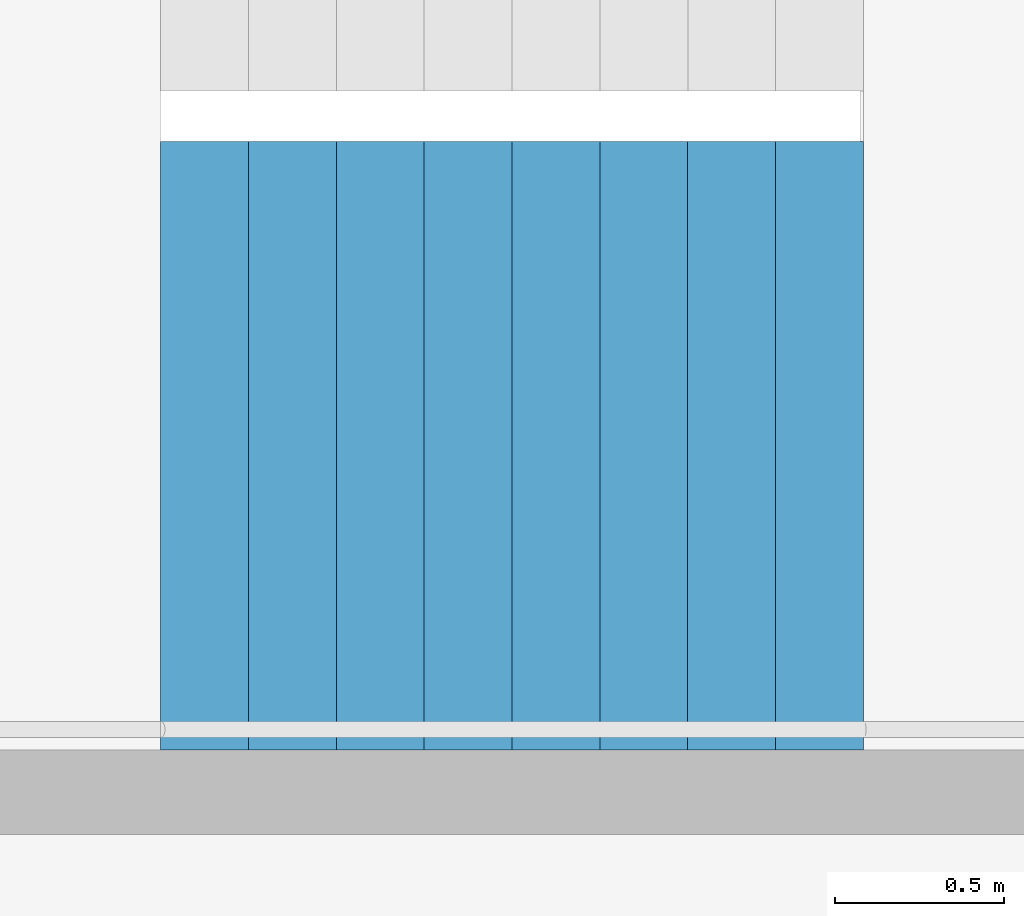
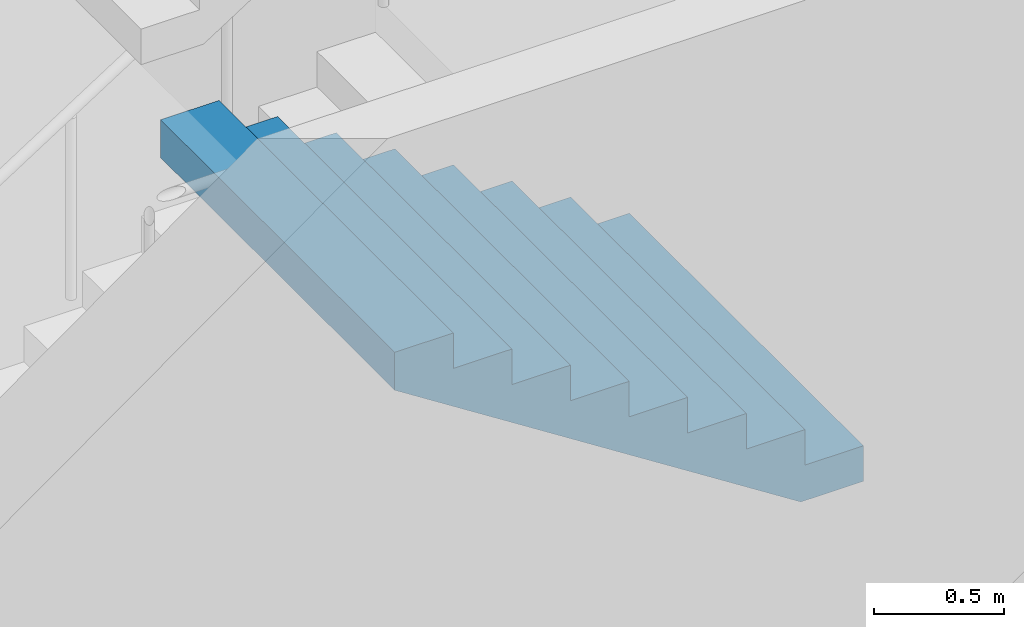
# One storey, part 31 of 35: 1 stair flight, 1 element without a shape of its own.
"""IFC4 building model written with IfcOpenShell, lengths in metres."""

from ifc_helpers import new_model, si_unit, direction, frame, origin, place, context, subcontext, project, spatial, triangles, material, type_object, element, aggregate, save


model = new_model("IFC4")

# Units and contexts
model_context = context("Model", 3, precision=1e-05, world=origin(), true_north=direction((0.0, 1.0)))
body_context = subcontext(model_context, "Body", "Model", "MODEL_VIEW")
ifc_project = project(units=[si_unit("LENGTHUNIT", "METRE"), si_unit("AREAUNIT", "SQUARE_METRE"), si_unit("VOLUMEUNIT", "CUBIC_METRE"), si_unit("PLANEANGLEUNIT", "RADIAN"), si_unit("MASSUNIT", "GRAM", prefix="KILO")], contexts=[model_context])

# Site, building, storey
site_placement = place(None, origin())
site = spatial("IfcSite", under=ifc_project, at=site_placement, CompositionType="ELEMENT")
building_placement = place(site_placement, origin())
building = spatial("IfcBuilding", under=site, at=building_placement, Name="Hakoniwa Tower and Hamabe Station Hall", CompositionType="ELEMENT")
storey_placement = place(building_placement, frame((0.0, 0.0, 264.60009765625)))
storey = spatial("IfcBuildingStorey", under=building, at=storey_placement, Name="L75", CompositionType="ELEMENT", Elevation=264.60009765625)

# Stair, stair flight
ifc_material_1 = material(Name="Concrete C40", Category="concrete")
stair_type = type_object("IfcStairType", Name="ESCAPE STAIR 1800", PredefinedType="HALF_TURN_STAIR", material=ifc_material_1)
stair_placement = place(storey_placement, origin())
stair = element("IfcStair", 1, at=stair_placement, inside=storey, type_object=stair_type, Name="Escape stair ST-3 L75", PredefinedType="HALF_TURN_STAIR")
ifc_material_2 = material(Name="Concrete C40", Category="concrete")
stair_flight_type = type_object("IfcStairFlightType", Name="STAIR FLIGHT 1800", PredefinedType="STRAIGHT", material=ifc_material_2)
stair_flight_placement = place(storey_placement, frame((24.39990234375, 4.64990234375, 3.0), z_axis=(0.0, 0.0, 1.0), x_axis=(-1.0, 0.0, 0.0)))
stair_flight = element("IfcStairFlight", 2, at=stair_flight_placement, type_object=stair_flight_type, Name="ST-3 flight 3", NumberOfRisers=9, NumberOfTreads=8, PredefinedType="STRAIGHT", RiserHeight=0.166666667, TreadLength=0.26, context=body_context, shape_type="Tessellation", body=[
    triangles([(0.0, 0.89990234375, 0.0), (0.260009765625, 0.89990234375, 0.0), (0.27783203125, 0.89990234375, 0.0), (0.52001953125, 0.89990234375, 0.1552734375), (0.780029296875, 0.89990234375, 0.322021484375), (1.0400390625, 0.89990234375, 0.488525390625), (1.300048828125, 0.89990234375, 0.6552734375), (1.56005859375, 0.89990234375, 0.822021484375), (1.820068359375, 0.89990234375, 0.988525390625), (2.080078125, 0.89990234375, 1.1552734375), (2.080078125, 0.89990234375, 1.333251953125), (1.820068359375, 0.89990234375, 1.333251953125), (1.820068359375, 0.89990234375, 1.166748046875), (1.56005859375, 0.89990234375, 1.166748046875), (1.56005859375, 0.89990234375, 1.0), (1.300048828125, 0.89990234375, 1.0), (1.300048828125, 0.89990234375, 0.833251953125), (1.0400390625, 0.89990234375, 0.833251953125), (1.0400390625, 0.89990234375, 0.666748046875), (0.780029296875, 0.89990234375, 0.666748046875), (0.780029296875, 0.89990234375, 0.5), (0.52001953125, 0.89990234375, 0.5), (0.52001953125, 0.89990234375, 0.333251953125), (0.27783203125, 0.89990234375, 0.333251953125), (0.260009765625, 0.89990234375, 0.333251953125), (0.260009765625, 0.89990234375, 0.166748046875), (0.0, 0.89990234375, 0.166748046875), (0.0, 0.06005859375, 0.0), (0.260009765625, 0.06005859375, 0.0), (0.27783203125, 0.06005859375, 0.0), (0.52001953125, 0.06005859375, 0.1552734375), (0.780029296875, 0.06005859375, 0.322021484375), (1.0400390625, 0.06005859375, 0.488525390625), (1.300048828125, 0.06005859375, 0.6552734375), (1.56005859375, 0.06005859375, 0.822021484375), (1.820068359375, 0.06005859375, 0.988525390625), (2.080078125, 0.06005859375, 1.1552734375), (2.080078125, 0.06005859375, 1.333251953125), (1.820068359375, 0.06005859375, 1.333251953125), (1.820068359375, 0.06005859375, 1.166748046875), (1.56005859375, 0.06005859375, 1.166748046875), (1.56005859375, 0.06005859375, 1.0), (1.300048828125, 0.06005859375, 1.0), (1.300048828125, 0.06005859375, 0.833251953125), (1.0400390625, 0.06005859375, 0.833251953125), (1.0400390625, 0.06005859375, 0.666748046875), (0.780029296875, 0.06005859375, 0.666748046875), (0.780029296875, 0.06005859375, 0.5), (0.52001953125, 0.06005859375, 0.5), (0.52001953125, 0.06005859375, 0.333251953125), (0.27783203125, 0.06005859375, 0.333251953125), (0.260009765625, 0.06005859375, 0.333251953125), (0.260009765625, 0.06005859375, 0.166748046875), (0.0, 0.06005859375, 0.166748046875), (0.0, 0.04296875, 0.0), (0.260009765625, 0.04296875, 0.0), (0.27783203125, 0.04296875, 0.0), (0.52001953125, 0.04296875, 0.1552734375), (0.780029296875, 0.04296875, 0.322021484375), (1.0400390625, 0.04296875, 0.488525390625), (1.300048828125, 0.04296875, 0.6552734375), (1.56005859375, 0.04296875, 0.822021484375), (1.820068359375, 0.04296875, 0.988525390625), (2.080078125, 0.04296875, 1.1552734375), (2.080078125, 0.04296875, 1.333251953125), (1.820068359375, 0.04296875, 1.333251953125), (1.820068359375, 0.04296875, 1.166748046875), (1.56005859375, 0.04296875, 1.166748046875), (1.56005859375, 0.04296875, 1.0), (1.300048828125, 0.04296875, 1.0), (1.300048828125, 0.04296875, 0.833251953125), (1.0400390625, 0.04296875, 0.833251953125), (1.0400390625, 0.04296875, 0.666748046875), (0.780029296875, 0.04296875, 0.666748046875), (0.780029296875, 0.04296875, 0.5), (0.52001953125, 0.04296875, 0.5), (0.52001953125, 0.04296875, 0.333251953125), (0.27783203125, 0.04296875, 0.333251953125), (0.260009765625, 0.04296875, 0.333251953125), (0.260009765625, 0.04296875, 0.166748046875), (0.0, 0.04296875, 0.166748046875), (0.0, 0.025634765625, 0.0), (0.260009765625, 0.025634765625, 0.0), (0.27783203125, 0.025634765625, 0.0), (0.52001953125, 0.025634765625, 0.1552734375), (0.780029296875, 0.025634765625, 0.322021484375), (1.0400390625, 0.025634765625, 0.488525390625), (1.300048828125, 0.025634765625, 0.6552734375), (1.56005859375, 0.025634765625, 0.822021484375), (1.820068359375, 0.025634765625, 0.988525390625), (2.080078125, 0.025634765625, 1.1552734375), (2.080078125, 0.025634765625, 1.333251953125), (1.820068359375, 0.025634765625, 1.333251953125), (1.820068359375, 0.025634765625, 1.166748046875), (1.56005859375, 0.025634765625, 1.166748046875), (1.56005859375, 0.025634765625, 1.0), (1.300048828125, 0.025634765625, 1.0), (1.300048828125, 0.025634765625, 0.833251953125), (1.0400390625, 0.025634765625, 0.833251953125), (1.0400390625, 0.025634765625, 0.666748046875), (0.780029296875, 0.025634765625, 0.666748046875), (0.780029296875, 0.025634765625, 0.5), (0.52001953125, 0.025634765625, 0.5), (0.52001953125, 0.025634765625, 0.333251953125), (0.27783203125, 0.025634765625, 0.333251953125), (0.260009765625, 0.025634765625, 0.333251953125), (0.260009765625, 0.025634765625, 0.166748046875), (0.0, 0.025634765625, 0.166748046875), (0.0, 0.008544921875, 0.0), (0.260009765625, 0.008544921875, 0.0), (0.27783203125, 0.008544921875, 0.0), (0.52001953125, 0.008544921875, 0.1552734375), (0.780029296875, 0.008544921875, 0.322021484375), (1.0400390625, 0.008544921875, 0.488525390625), (1.300048828125, 0.008544921875, 0.6552734375), (1.56005859375, 0.008544921875, 0.822021484375), (1.820068359375, 0.008544921875, 0.988525390625), (2.080078125, 0.008544921875, 1.1552734375), (2.080078125, 0.008544921875, 1.333251953125), (1.820068359375, 0.008544921875, 1.333251953125), (1.820068359375, 0.008544921875, 1.166748046875), (1.56005859375, 0.008544921875, 1.166748046875), (1.56005859375, 0.008544921875, 1.0), (1.300048828125, 0.008544921875, 1.0), (1.300048828125, 0.008544921875, 0.833251953125), (1.0400390625, 0.008544921875, 0.833251953125), (1.0400390625, 0.008544921875, 0.666748046875), (0.780029296875, 0.008544921875, 0.666748046875), (0.780029296875, 0.008544921875, 0.5), (0.52001953125, 0.008544921875, 0.5), (0.52001953125, 0.008544921875, 0.333251953125), (0.27783203125, 0.008544921875, 0.333251953125), (0.260009765625, 0.008544921875, 0.333251953125), (0.260009765625, 0.008544921875, 0.166748046875), (0.0, 0.008544921875, 0.166748046875), (0.0, -0.008544921875, 0.0), (0.260009765625, -0.008544921875, 0.0), (0.27783203125, -0.008544921875, 0.0), (0.52001953125, -0.008544921875, 0.1552734375), (0.780029296875, -0.008544921875, 0.322021484375), (1.0400390625, -0.008544921875, 0.488525390625), (1.300048828125, -0.008544921875, 0.6552734375), (1.56005859375, -0.008544921875, 0.822021484375), (1.820068359375, -0.008544921875, 0.988525390625), (2.080078125, -0.008544921875, 1.1552734375), (2.080078125, -0.008544921875, 1.333251953125), (1.820068359375, -0.008544921875, 1.333251953125), (1.820068359375, -0.008544921875, 1.166748046875), (1.56005859375, -0.008544921875, 1.166748046875), (1.56005859375, -0.008544921875, 1.0), (1.300048828125, -0.008544921875, 1.0), (1.300048828125, -0.008544921875, 0.833251953125), (1.0400390625, -0.008544921875, 0.833251953125), (1.0400390625, -0.008544921875, 0.666748046875), (0.780029296875, -0.008544921875, 0.666748046875), (0.780029296875, -0.008544921875, 0.5), (0.52001953125, -0.008544921875, 0.5), (0.52001953125, -0.008544921875, 0.333251953125), (0.27783203125, -0.008544921875, 0.333251953125), (0.260009765625, -0.008544921875, 0.333251953125), (0.260009765625, -0.008544921875, 0.166748046875), (0.0, -0.008544921875, 0.166748046875), (0.0, -0.025634765625, 0.0), (0.260009765625, -0.025634765625, 0.0), (0.27783203125, -0.025634765625, 0.0), (0.52001953125, -0.025634765625, 0.1552734375), (0.780029296875, -0.025634765625, 0.322021484375), (1.0400390625, -0.025634765625, 0.488525390625), (1.300048828125, -0.025634765625, 0.6552734375), (1.56005859375, -0.025634765625, 0.822021484375), (1.820068359375, -0.025634765625, 0.988525390625), (2.080078125, -0.025634765625, 1.1552734375), (2.080078125, -0.025634765625, 1.333251953125), (1.820068359375, -0.025634765625, 1.333251953125), (1.820068359375, -0.025634765625, 1.166748046875), (1.56005859375, -0.025634765625, 1.166748046875), (1.56005859375, -0.025634765625, 1.0), (1.300048828125, -0.025634765625, 1.0), (1.300048828125, -0.025634765625, 0.833251953125), (1.0400390625, -0.025634765625, 0.833251953125), (1.0400390625, -0.025634765625, 0.666748046875), (0.780029296875, -0.025634765625, 0.666748046875), (0.780029296875, -0.025634765625, 0.5), (0.52001953125, -0.025634765625, 0.5), (0.52001953125, -0.025634765625, 0.333251953125), (0.27783203125, -0.025634765625, 0.333251953125), (0.260009765625, -0.025634765625, 0.333251953125), (0.260009765625, -0.025634765625, 0.166748046875), (0.0, -0.025634765625, 0.166748046875), (0.0, -0.04296875, 0.0), (0.260009765625, -0.04296875, 0.0), (0.27783203125, -0.04296875, 0.0), (0.52001953125, -0.04296875, 0.1552734375), (0.780029296875, -0.04296875, 0.322021484375), (1.0400390625, -0.04296875, 0.488525390625), (1.300048828125, -0.04296875, 0.6552734375), (1.56005859375, -0.04296875, 0.822021484375), (1.820068359375, -0.04296875, 0.988525390625), (2.080078125, -0.04296875, 1.1552734375), (2.080078125, -0.04296875, 1.333251953125), (1.820068359375, -0.04296875, 1.333251953125), (1.820068359375, -0.04296875, 1.166748046875), (1.56005859375, -0.04296875, 1.166748046875), (1.56005859375, -0.04296875, 1.0), (1.300048828125, -0.04296875, 1.0), (1.300048828125, -0.04296875, 0.833251953125), (1.0400390625, -0.04296875, 0.833251953125), (1.0400390625, -0.04296875, 0.666748046875), (0.780029296875, -0.04296875, 0.666748046875), (0.780029296875, -0.04296875, 0.5), (0.52001953125, -0.04296875, 0.5), (0.52001953125, -0.04296875, 0.333251953125), (0.27783203125, -0.04296875, 0.333251953125), (0.260009765625, -0.04296875, 0.333251953125), (0.260009765625, -0.04296875, 0.166748046875), (0.0, -0.04296875, 0.166748046875), (0.0, -0.06005859375, 0.0), (0.260009765625, -0.06005859375, 0.0), (0.27783203125, -0.06005859375, 0.0), (0.52001953125, -0.06005859375, 0.1552734375), (0.780029296875, -0.06005859375, 0.322021484375), (1.0400390625, -0.06005859375, 0.488525390625), (1.300048828125, -0.06005859375, 0.6552734375), (1.56005859375, -0.06005859375, 0.822021484375), (1.820068359375, -0.06005859375, 0.988525390625), (2.080078125, -0.06005859375, 1.1552734375), (2.080078125, -0.06005859375, 1.333251953125), (1.820068359375, -0.06005859375, 1.333251953125), (1.820068359375, -0.06005859375, 1.166748046875), (1.56005859375, -0.06005859375, 1.166748046875), (1.56005859375, -0.06005859375, 1.0), (1.300048828125, -0.06005859375, 1.0), (1.300048828125, -0.06005859375, 0.833251953125), (1.0400390625, -0.06005859375, 0.833251953125), (1.0400390625, -0.06005859375, 0.666748046875), (0.780029296875, -0.06005859375, 0.666748046875), (0.780029296875, -0.06005859375, 0.5), (0.52001953125, -0.06005859375, 0.5), (0.52001953125, -0.06005859375, 0.333251953125), (0.27783203125, -0.06005859375, 0.333251953125), (0.260009765625, -0.06005859375, 0.333251953125), (0.260009765625, -0.06005859375, 0.166748046875), (0.0, -0.06005859375, 0.166748046875), (0.0, -0.89990234375, 0.0), (0.260009765625, -0.89990234375, 0.0), (0.27783203125, -0.89990234375, 0.0), (0.52001953125, -0.89990234375, 0.1552734375), (0.780029296875, -0.89990234375, 0.322021484375), (1.0400390625, -0.89990234375, 0.488525390625), (1.300048828125, -0.89990234375, 0.6552734375), (1.56005859375, -0.89990234375, 0.822021484375), (1.820068359375, -0.89990234375, 0.988525390625), (2.080078125, -0.89990234375, 1.1552734375), (2.080078125, -0.89990234375, 1.333251953125), (1.820068359375, -0.89990234375, 1.333251953125), (1.820068359375, -0.89990234375, 1.166748046875), (1.56005859375, -0.89990234375, 1.166748046875), (1.56005859375, -0.89990234375, 1.0), (1.300048828125, -0.89990234375, 1.0), (1.300048828125, -0.89990234375, 0.833251953125), (1.0400390625, -0.89990234375, 0.833251953125), (1.0400390625, -0.89990234375, 0.666748046875), (0.780029296875, -0.89990234375, 0.666748046875), (0.780029296875, -0.89990234375, 0.5), (0.52001953125, -0.89990234375, 0.5), (0.52001953125, -0.89990234375, 0.333251953125), (0.27783203125, -0.89990234375, 0.333251953125), (0.260009765625, -0.89990234375, 0.333251953125), (0.260009765625, -0.89990234375, 0.166748046875), (0.0, -0.89990234375, 0.166748046875)], [[2, 27, 26], [245, 269, 270], [2, 1, 27], [245, 270, 244], [3, 25, 24], [246, 267, 268], [3, 26, 25], [246, 268, 269], [3, 2, 26], [246, 269, 245], [4, 24, 23], [247, 266, 267], [4, 3, 24], [247, 267, 246], [5, 22, 21], [248, 264, 265], [5, 23, 22], [248, 265, 266], [5, 4, 23], [248, 266, 247], [6, 20, 19], [249, 262, 263], [6, 21, 20], [249, 263, 264], [6, 5, 21], [249, 264, 248], [7, 18, 17], [250, 260, 261], [7, 19, 18], [250, 261, 262], [7, 6, 19], [250, 262, 249], [8, 16, 15], [251, 258, 259], [8, 17, 16], [251, 259, 260], [8, 7, 17], [251, 260, 250], [9, 14, 13], [252, 256, 257], [9, 15, 14], [252, 257, 258], [9, 8, 15], [252, 258, 251], [10, 12, 11], [253, 254, 255], [10, 13, 12], [253, 255, 256], [10, 9, 13], [253, 256, 252], [1, 2, 29], [1, 29, 28], [28, 29, 56], [28, 56, 55], [55, 56, 83], [55, 83, 82], [82, 83, 110], [82, 110, 109], [109, 110, 137], [109, 137, 136], [136, 137, 164], [136, 164, 163], [163, 164, 191], [163, 191, 190], [190, 191, 218], [190, 218, 217], [217, 218, 245], [217, 245, 244], [2, 3, 30], [2, 30, 29], [29, 30, 57], [29, 57, 56], [56, 57, 84], [56, 84, 83], [83, 84, 111], [83, 111, 110], [110, 111, 138], [110, 138, 137], [137, 138, 165], [137, 165, 164], [164, 165, 192], [164, 192, 191], [191, 192, 219], [191, 219, 218], [218, 219, 246], [218, 246, 245], [3, 4, 31], [3, 31, 30], [30, 31, 58], [30, 58, 57], [57, 58, 85], [57, 85, 84], [84, 85, 112], [84, 112, 111], [111, 112, 139], [111, 139, 138], [138, 139, 166], [138, 166, 165], [165, 166, 193], [165, 193, 192], [192, 193, 220], [192, 220, 219], [219, 220, 247], [219, 247, 246], [4, 5, 32], [4, 32, 31], [31, 32, 59], [31, 59, 58], [58, 59, 86], [58, 86, 85], [85, 86, 113], [85, 113, 112], [112, 113, 140], [112, 140, 139], [139, 140, 167], [139, 167, 166], [166, 167, 194], [166, 194, 193], [193, 194, 221], [193, 221, 220], [220, 221, 248], [220, 248, 247], [5, 6, 33], [5, 33, 32], [32, 33, 60], [32, 60, 59], [59, 60, 87], [59, 87, 86], [86, 87, 114], [86, 114, 113], [113, 114, 141], [113, 141, 140], [140, 141, 168], [140, 168, 167], [167, 168, 195], [167, 195, 194], [194, 195, 222], [194, 222, 221], [221, 222, 249], [221, 249, 248], [6, 7, 34], [6, 34, 33], [33, 34, 61], [33, 61, 60], [60, 61, 88], [60, 88, 87], [87, 88, 115], [87, 115, 114], [114, 115, 142], [114, 142, 141], [141, 142, 169], [141, 169, 168], [168, 169, 196], [168, 196, 195], [195, 196, 223], [195, 223, 222], [222, 223, 250], [222, 250, 249], [7, 8, 35], [7, 35, 34], [34, 35, 62], [34, 62, 61], [61, 62, 89], [61, 89, 88], [88, 89, 116], [88, 116, 115], [115, 116, 143], [115, 143, 142], [142, 143, 170], [142, 170, 169], [169, 170, 197], [169, 197, 196], [196, 197, 224], [196, 224, 223], [223, 224, 251], [223, 251, 250], [8, 9, 36], [8, 36, 35], [35, 36, 63], [35, 63, 62], [62, 63, 90], [62, 90, 89], [89, 90, 117], [89, 117, 116], [116, 117, 144], [116, 144, 143], [143, 144, 171], [143, 171, 170], [170, 171, 198], [170, 198, 197], [197, 198, 225], [197, 225, 224], [224, 225, 252], [224, 252, 251], [9, 10, 37], [9, 37, 36], [36, 37, 64], [36, 64, 63], [63, 64, 91], [63, 91, 90], [90, 91, 118], [90, 118, 117], [117, 118, 145], [117, 145, 144], [144, 145, 172], [144, 172, 171], [171, 172, 199], [171, 199, 198], [198, 199, 226], [198, 226, 225], [225, 226, 253], [225, 253, 252], [10, 11, 38], [10, 38, 37], [37, 38, 65], [37, 65, 64], [64, 65, 92], [64, 92, 91], [91, 92, 119], [91, 119, 118], [118, 119, 146], [118, 146, 145], [145, 146, 173], [145, 173, 172], [172, 173, 200], [172, 200, 199], [199, 200, 227], [199, 227, 226], [226, 227, 254], [226, 254, 253], [11, 12, 39], [11, 39, 38], [38, 39, 66], [38, 66, 65], [65, 66, 93], [65, 93, 92], [92, 93, 120], [92, 120, 119], [119, 120, 147], [119, 147, 146], [146, 147, 174], [146, 174, 173], [173, 174, 201], [173, 201, 200], [200, 201, 228], [200, 228, 227], [227, 228, 255], [227, 255, 254], [12, 13, 40], [12, 40, 39], [39, 40, 67], [39, 67, 66], [66, 67, 94], [66, 94, 93], [93, 94, 121], [93, 121, 120], [120, 121, 148], [120, 148, 147], [147, 148, 175], [147, 175, 174], [174, 175, 202], [174, 202, 201], [201, 202, 229], [201, 229, 228], [228, 229, 256], [228, 256, 255], [13, 14, 41], [13, 41, 40], [40, 41, 68], [40, 68, 67], [67, 68, 95], [67, 95, 94], [94, 95, 122], [94, 122, 121], [121, 122, 149], [121, 149, 148], [148, 149, 176], [148, 176, 175], [175, 176, 203], [175, 203, 202], [202, 203, 230], [202, 230, 229], [229, 230, 257], [229, 257, 256], [14, 15, 42], [14, 42, 41], [41, 42, 69], [41, 69, 68], [68, 69, 96], [68, 96, 95], [95, 96, 123], [95, 123, 122], [122, 123, 150], [122, 150, 149], [149, 150, 177], [149, 177, 176], [176, 177, 204], [176, 204, 203], [203, 204, 231], [203, 231, 230], [230, 231, 258], [230, 258, 257], [15, 16, 43], [15, 43, 42], [42, 43, 70], [42, 70, 69], [69, 70, 97], [69, 97, 96], [96, 97, 124], [96, 124, 123], [123, 124, 151], [123, 151, 150], [150, 151, 178], [150, 178, 177], [177, 178, 205], [177, 205, 204], [204, 205, 232], [204, 232, 231], [231, 232, 259], [231, 259, 258], [16, 17, 44], [16, 44, 43], [43, 44, 71], [43, 71, 70], [70, 71, 98], [70, 98, 97], [97, 98, 125], [97, 125, 124], [124, 125, 152], [124, 152, 151], [151, 152, 179], [151, 179, 178], [178, 179, 206], [178, 206, 205], [205, 206, 233], [205, 233, 232], [232, 233, 260], [232, 260, 259], [17, 18, 45], [17, 45, 44], [44, 45, 72], [44, 72, 71], [71, 72, 99], [71, 99, 98], [98, 99, 126], [98, 126, 125], [125, 126, 153], [125, 153, 152], [152, 153, 180], [152, 180, 179], [179, 180, 207], [179, 207, 206], [206, 207, 234], [206, 234, 233], [233, 234, 261], [233, 261, 260], [18, 19, 46], [18, 46, 45], [45, 46, 73], [45, 73, 72], [72, 73, 100], [72, 100, 99], [99, 100, 127], [99, 127, 126], [126, 127, 154], [126, 154, 153], [153, 154, 181], [153, 181, 180], [180, 181, 208], [180, 208, 207], [207, 208, 235], [207, 235, 234], [234, 235, 262], [234, 262, 261], [19, 20, 47], [19, 47, 46], [46, 47, 74], [46, 74, 73], [73, 74, 101], [73, 101, 100], [100, 101, 128], [100, 128, 127], [127, 128, 155], [127, 155, 154], [154, 155, 182], [154, 182, 181], [181, 182, 209], [181, 209, 208], [208, 209, 236], [208, 236, 235], [235, 236, 263], [235, 263, 262], [20, 21, 48], [20, 48, 47], [47, 48, 75], [47, 75, 74], [74, 75, 102], [74, 102, 101], [101, 102, 129], [101, 129, 128], [128, 129, 156], [128, 156, 155], [155, 156, 183], [155, 183, 182], [182, 183, 210], [182, 210, 209], [209, 210, 237], [209, 237, 236], [236, 237, 264], [236, 264, 263], [21, 22, 49], [21, 49, 48], [48, 49, 76], [48, 76, 75], [75, 76, 103], [75, 103, 102], [102, 103, 130], [102, 130, 129], [129, 130, 157], [129, 157, 156], [156, 157, 184], [156, 184, 183], [183, 184, 211], [183, 211, 210], [210, 211, 238], [210, 238, 237], [237, 238, 265], [237, 265, 264], [22, 23, 50], [22, 50, 49], [49, 50, 77], [49, 77, 76], [76, 77, 104], [76, 104, 103], [103, 104, 131], [103, 131, 130], [130, 131, 158], [130, 158, 157], [157, 158, 185], [157, 185, 184], [184, 185, 212], [184, 212, 211], [211, 212, 239], [211, 239, 238], [238, 239, 266], [238, 266, 265], [23, 24, 51], [23, 51, 50], [50, 51, 78], [50, 78, 77], [77, 78, 105], [77, 105, 104], [104, 105, 132], [104, 132, 131], [131, 132, 159], [131, 159, 158], [158, 159, 186], [158, 186, 185], [185, 186, 213], [185, 213, 212], [212, 213, 240], [212, 240, 239], [239, 240, 267], [239, 267, 266], [24, 25, 52], [24, 52, 51], [51, 52, 79], [51, 79, 78], [78, 79, 106], [78, 106, 105], [105, 106, 133], [105, 133, 132], [132, 133, 160], [132, 160, 159], [159, 160, 187], [159, 187, 186], [186, 187, 214], [186, 214, 213], [213, 214, 241], [213, 241, 240], [240, 241, 268], [240, 268, 267], [25, 26, 53], [25, 53, 52], [52, 53, 80], [52, 80, 79], [79, 80, 107], [79, 107, 106], [106, 107, 134], [106, 134, 133], [133, 134, 161], [133, 161, 160], [160, 161, 188], [160, 188, 187], [187, 188, 215], [187, 215, 214], [214, 215, 242], [214, 242, 241], [241, 242, 269], [241, 269, 268], [26, 27, 54], [26, 54, 53], [53, 54, 81], [53, 81, 80], [80, 81, 108], [80, 108, 107], [107, 108, 135], [107, 135, 134], [134, 135, 162], [134, 162, 161], [161, 162, 189], [161, 189, 188], [188, 189, 216], [188, 216, 215], [215, 216, 243], [215, 243, 242], [242, 243, 270], [242, 270, 269], [27, 1, 28], [27, 28, 54], [54, 28, 55], [54, 55, 81], [81, 55, 82], [81, 82, 108], [108, 82, 109], [108, 109, 135], [135, 109, 136], [135, 136, 162], [162, 136, 163], [162, 163, 189], [189, 163, 190], [189, 190, 216], [216, 190, 217], [216, 217, 243], [243, 217, 244], [243, 244, 270]], closed=True),
])
aggregate(stair, [stair_flight])

save(model, "model.ifc")
